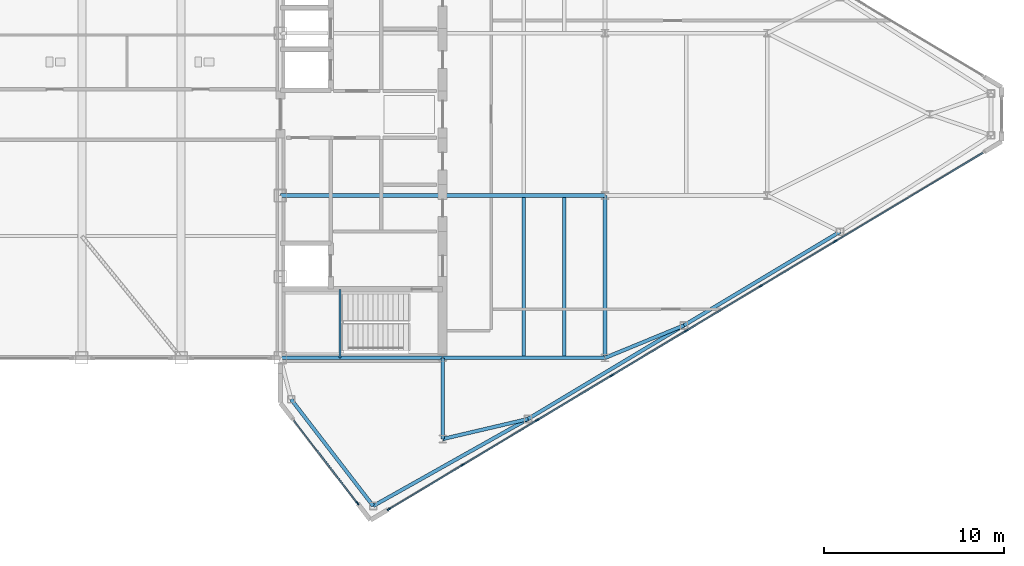
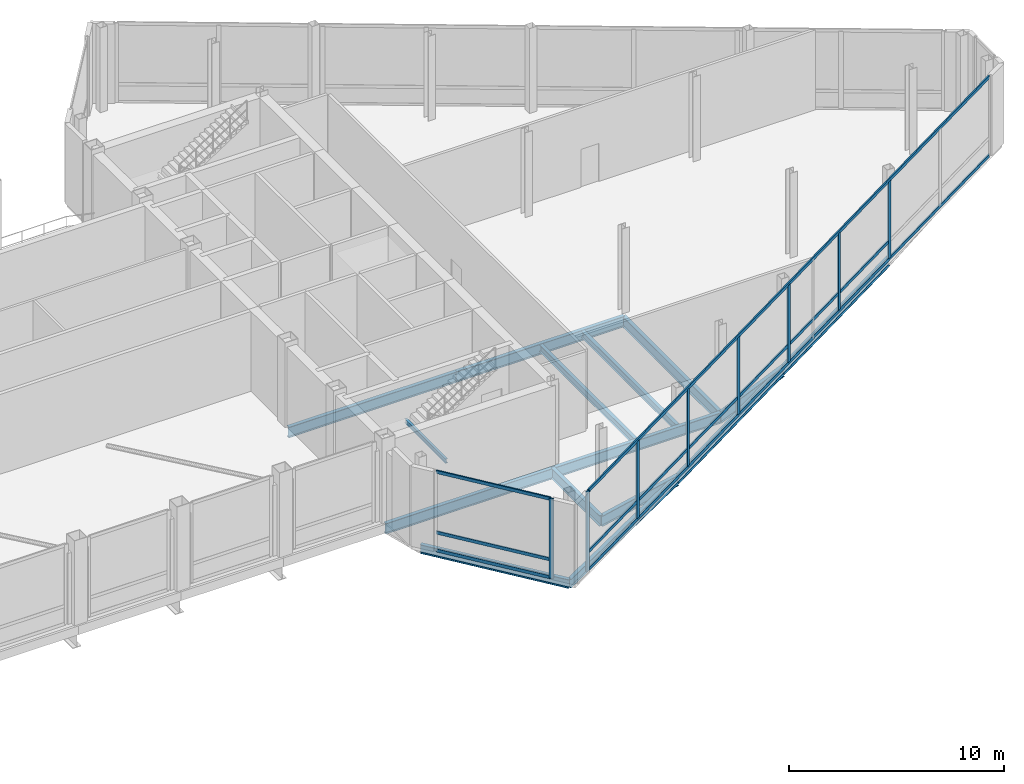
# One storey, part 14 of 28: 19 members, 15 beams, 2 elements without a shape of their own.
"""IFC4 building model written with IfcOpenShell, lengths in metres."""

from ifc_helpers import new_model, si_unit, direction, frame, origin, origin_2d, place, context, subcontext, project, spatial, rectangle, i_section, extrude, source, transform, mapped, material, layer, layer_set, material_profile, profile_set, type_object, type_shapes, element, aggregate, save


model = new_model("IFC4")

# Units and contexts
model_context = context("Model", 3, precision=1e-05, world=origin(), true_north=direction((0.0, 1.0)))
body_context = subcontext(model_context, "Body", "Model", "MODEL_VIEW")
ifc_project = project(units=[si_unit("LENGTHUNIT", "METRE"), si_unit("AREAUNIT", "SQUARE_METRE"), si_unit("VOLUMEUNIT", "CUBIC_METRE"), si_unit("PLANEANGLEUNIT", "RADIAN"), si_unit("MASSUNIT", "GRAM", prefix="KILO")], contexts=[model_context])

# Site, building, storey
site_placement = place(None, origin())
site = spatial("IfcSite", under=ifc_project, at=site_placement, CompositionType="ELEMENT")
building_placement = place(site_placement, origin())
building = spatial("IfcBuilding", under=site, at=building_placement, Name="Seokmaru Belvedere", CompositionType="ELEMENT")
storey_placement = place(building_placement, frame((0.0, 0.0, 274.199951171875)))
storey = spatial("IfcBuildingStorey", under=building, at=storey_placement, Name="L72", CompositionType="ELEMENT", Elevation=274.199951171875)

# Beams
ifc_material_1 = material(Name="Steel SM355 (355 MPa)", Category="steel")
ifc_material_profile_1 = material_profile(ifc_material_1, i_section(OverallWidth=0.199951171875, OverallDepth=0.60009765625, WebThickness=0.010986328125, FlangeThickness=0.01708984375, at=origin_2d()), Name="H-600x200x11x17")
ifc_profile_set_1 = profile_set([ifc_material_profile_1], Name="Steel SM355 (355 MPa)")
beam_type_1 = type_object("IfcBeamType", Name="Primary Floor Girder H-600", PredefinedType="BEAM", material=ifc_profile_set_1)
shared_shape_1 = source(origin(), body_context, "Body", "SweptSolid", [
    extrude(i_section(OverallWidth=0.199951171875, OverallDepth=0.60009765625, WebThickness=0.010986328125, FlangeThickness=0.01708984375, at=origin_2d()), origin(), (0.0, 0.0, 1.0), 9.0),
])
for number, where, z_axis, x_axis, name in (
    (1, (45.5, -13.5, -0.56005859375), (0.0, 1.0, 0.0), (-1.0, 0.0, 0.0), "L72 E Interior Grid Girder 1"),
    (2, (27.5, -13.5, -0.56005859375), (1.0, 0.0, 0.0), (0.0, 1.0, 0.0), "L72 E Core Tie Girder 1"),
    (3, (36.5, -13.5, -0.56005859375), (1.0, 0.0, 0.0), (0.0, 1.0, 0.0), "L72 E Wing Primary Girder 1"),
    (4, (27.5, -4.5, -0.56005859375), (1.0, 0.0, 0.0), (0.0, 1.0, 0.0), "L72 E Core Tie Girder 2"),
    (5, (36.5, -4.5, -0.56005859375), (1.0, 0.0, 0.0), (0.0, 1.0, 0.0), "L72 E Wing Primary Girder 2"),
):
    element("IfcBeam", number, at=place(storey_placement, frame(where, z_axis=z_axis, x_axis=x_axis)), inside=storey, type_object=beam_type_1, Name=name, PredefinedType="BEAM", context=body_context, shape_type="MappedRepresentation", body=[
        mapped(shared_shape_1, transform((0.0, 0.0, 0.0), scale=1.0)),
    ])
ifc_material_profile_2 = material_profile(ifc_material_1, i_section(OverallWidth=0.18505859375, OverallDepth=0.389892578125, WebThickness=0.008056640625, FlangeThickness=0.011962890625, at=origin_2d()), Name="H-390x185x8x12")
ifc_profile_set_2 = profile_set([ifc_material_profile_2], Name="Steel SM355 (355 MPa)")
beam_type_2 = type_object("IfcBeamType", Name="Secondary Floor Joist H-350", PredefinedType="JOIST", material=ifc_profile_set_2)
shared_shape_2 = source(origin(), body_context, "Body", "SweptSolid", [
    extrude(i_section(OverallWidth=0.18505859375, OverallDepth=0.389892578125, WebThickness=0.008056640625, FlangeThickness=0.011962890625, at=origin_2d()), origin(), (0.0, 0.0, 1.0), 8.7900390625),
])
type_shapes(beam_type_2, [shared_shape_2])
for number, where, z_axis, x_axis, name in (
    (6, (43.25, -13.39501953125, -0.454833984375), (0.0, 1.0, 0.0), (-1.0, 0.0, 0.0), "L72 E Wing Inner Secondary Joist 1"),
    (7, (41.0, -13.39501953125, -0.454833984375), (0.0, 1.0, 0.0), (-1.0, 0.0, 0.0), "L72 E Secondary Floor Joist 1"),
):
    element("IfcBeam", number, at=place(storey_placement, frame(where, z_axis=z_axis, x_axis=x_axis)), inside=storey, type_object=beam_type_2, Name=name, PredefinedType="JOIST", context=body_context, shape_type="MappedRepresentation", body=[
        mapped(shared_shape_2, transform((0.0, 0.0, 0.0), scale=1.0)),
    ])
shared_shape_3 = source(origin(), body_context, "Body", "SweptSolid", [
    extrude(i_section(OverallWidth=0.199951171875, OverallDepth=0.60009765625, WebThickness=0.010986328125, FlangeThickness=0.01708984375, at=origin_2d()), origin(), (0.0, 0.0, 1.0), 4.5),
])
beam_1_placement = place(storey_placement, frame((36.5, -18.0, -0.56005859375), z_axis=(0.0, 1.0, 0.0), x_axis=(-1.0, 0.0, 0.0)))
element("IfcBeam", 8, at=beam_1_placement, inside=storey, type_object=beam_type_1, Name="L72 E Core Shoulder Girder S", PredefinedType="BEAM", context=body_context, shape_type="MappedRepresentation", body=[
    mapped(shared_shape_3, transform((0.0, 0.0, 0.0), scale=1.0)),
])
ifc_material_profile_3 = material_profile(ifc_material_1, i_section(OverallWidth=0.199951171875, OverallDepth=0.5, WebThickness=0.010009765625, FlangeThickness=0.01611328125, at=origin_2d()), Name="H-500x200x10x16")
ifc_profile_set_3 = profile_set([ifc_material_profile_3], Name="Steel SM355 (355 MPa)")
beam_type_3 = type_object("IfcBeamType", Name="Perimeter Spandrel Beam H-500", PredefinedType="SPANDREL", material=ifc_profile_set_3)
shared_shape_4 = source(origin(), body_context, "Body", "SweptSolid", [
    extrude(i_section(OverallWidth=0.199951171875, OverallDepth=0.5, WebThickness=0.010009765625, FlangeThickness=0.01611328125, at=origin_2d()), origin(), (0.0, 0.0, 1.0), 9.842041015625),
])
beam_2_placement = place(storey_placement, frame((32.649658203125, -21.71044921875, -0.510009765625), z_axis=(0.871782151818, 0.489893743349, 0.0), x_axis=(-0.489893743349, 0.871782151818, 0.0)))
element("IfcBeam", 9, at=beam_2_placement, inside=storey, type_object=beam_type_3, Name="L72 E Faceted Flank Spandrel S-1", PredefinedType="SPANDREL", context=body_context, shape_type="MappedRepresentation", body=[
    mapped(shared_shape_4, transform((0.0, 0.0, 0.0), scale=1.0)),
])
shared_shape_5 = source(origin(), body_context, "Body", "SweptSolid", [
    extrude(i_section(OverallWidth=0.199951171875, OverallDepth=0.5, WebThickness=0.010009765625, FlangeThickness=0.01611328125, at=origin_2d()), origin(), (0.0, 0.0, 1.0), 10.087646484375),
])
for number, where, z_axis, x_axis, name in (
    (10, (41.229736328125, -16.888916015625, -0.510009765625), (0.857499332045, 0.514485078056, 0.0), (-0.514485078056, 0.857499332045, 0.0), "L72 E Faceted Flank Spandrel S-2"),
    (11, (49.8798828125, -11.698974609375, -0.510009765625), (0.857488654804, 0.514502873542, 0.0), (-0.514502873542, 0.857488654804, 0.0), "L72 E Faceted Flank Spandrel S-3"),
):
    element("IfcBeam", number, at=place(storey_placement, frame(where, z_axis=z_axis, x_axis=x_axis)), inside=storey, type_object=beam_type_3, Name=name, PredefinedType="SPANDREL", context=body_context, shape_type="MappedRepresentation", body=[
        mapped(shared_shape_5, transform((0.0, 0.0, 0.0), scale=1.0)),
    ])
shared_shape_6 = source(origin(), body_context, "Body", "SweptSolid", [
    extrude(i_section(OverallWidth=0.199951171875, OverallDepth=0.5, WebThickness=0.010009765625, FlangeThickness=0.01611328125, at=origin_2d()), origin(), (0.0, 0.0, 1.0), 7.4619140625),
])
type_shapes(beam_type_3, [shared_shape_4, shared_shape_5, shared_shape_6])
beam_3_placement = place(storey_placement, frame((32.649658203125, -21.71044921875, -0.510009765625), z_axis=(-0.609702854945, 0.792630070507, 0.0), x_axis=(-0.792630070507, -0.609702854945, 0.0)))
element("IfcBeam", 12, at=beam_3_placement, inside=storey, type_object=beam_type_3, Name="L72 E Shoulder Chamfer Spandrel S", PredefinedType="SPANDREL", context=body_context, shape_type="MappedRepresentation", body=[
    mapped(shared_shape_6, transform((0.0, 0.0, 0.0), scale=1.0)),
])
shared_shape_7 = source(origin(), body_context, "Body", "SweptSolid", [
    extrude(i_section(OverallWidth=0.199951171875, OverallDepth=0.60009765625, WebThickness=0.010986328125, FlangeThickness=0.01708984375, at=origin_2d()), origin(), (0.0, 0.0, 1.0), 4.8583984375),
])
beam_4_placement = place(storey_placement, frame((41.229736328125, -16.888916015625, -0.56005859375), z_axis=(-0.97349948295, -0.228689214211, 0.0), x_axis=(0.228689214211, -0.97349948295, 0.0)))
element("IfcBeam", 13, at=beam_4_placement, inside=storey, type_object=beam_type_1, Name="L72 E Flank Radial Floor Girder S-1", PredefinedType="BEAM", context=body_context, shape_type="MappedRepresentation", body=[
    mapped(shared_shape_7, transform((0.0, 0.0, 0.0), scale=1.0)),
])
shared_shape_8 = source(origin(), body_context, "Body", "SweptSolid", [
    extrude(i_section(OverallWidth=0.199951171875, OverallDepth=0.60009765625, WebThickness=0.010986328125, FlangeThickness=0.01708984375, at=origin_2d()), origin(), (0.0, 0.0, 1.0), 4.73583984375),
])
type_shapes(beam_type_1, [shared_shape_1, shared_shape_3, shared_shape_7, shared_shape_8])
beam_5_placement = place(storey_placement, frame((49.8798828125, -11.698974609375, -0.56005859375), z_axis=(-0.924860562953, -0.380306375301, 0.0), x_axis=(0.380306375301, -0.924860562953, 0.0)))
element("IfcBeam", 14, at=beam_5_placement, inside=storey, type_object=beam_type_1, Name="L72 E Flank Radial Floor Girder S-2", PredefinedType="BEAM", context=body_context, shape_type="MappedRepresentation", body=[
    mapped(shared_shape_8, transform((0.0, 0.0, 0.0), scale=1.0)),
])

# Curtain wall, members
ifc_material_2 = material(Name="Bronze Triple Insulating Glass", Category="glass")
ifc_layer = layer(ifc_material_2, 0.219970703125)
ifc_layer_set = layer_set([ifc_layer], Name="Bronze Triple Insulating Glass")
curtain_wall_type = type_object("IfcCurtainWallType", Name="Sky-Gate Bridge Panorama Curtain Wall System CW-6", PredefinedType="NOTDEFINED", material=ifc_layer_set)
curtain_wall_1_placement = place(storey_placement, origin())
curtain_wall_1 = element("IfcCurtainWall", 15, at=curtain_wall_1_placement, inside=storey, type_object=curtain_wall_type, Name="L72 Curtain Wall EF6", PredefinedType="NOTDEFINED")
ifc_material_3 = material(Name="Anodised Bronze Aluminium", Category="aluminium")
ifc_material_profile_4 = material_profile(ifc_material_3, rectangle(XDim=0.074951171875, YDim=0.179931640625, at=origin_2d()), Name="CW-T-75x180")
ifc_profile_set_4 = profile_set([ifc_material_profile_4], Name="Anodised Bronze Aluminium")
member_type_1 = type_object("IfcMemberType", Name="Bronze Unitised Transom 75x180", PredefinedType="USERDEFINED", material=ifc_profile_set_4)
shared_shape_9 = source(origin(), body_context, "Body", "SweptSolid", [
    extrude(rectangle(XDim=0.074951171875, YDim=0.179931640625, at=origin_2d()), origin(), (0.0, 0.0, 1.0), 5.74072265625),
])
member_1_placement = place(storey_placement, frame((28.25, -16.974853515625, 0.03759765625), z_axis=(0.609686097287, -0.792642960465, 0.0), x_axis=(0.792642960465, 0.609686097287, 0.0)))
member_1 = element("IfcMember", 16, at=member_1_placement, type_object=member_type_1, Name="CW:L72:EF6 Continuous Transom 1", ObjectType="TRANSOM", PredefinedType="USERDEFINED", context=body_context, shape_type="MappedRepresentation", body=[
    mapped(shared_shape_9, transform((0.0, 0.0, 0.0), scale=1.0)),
])
member_2_placement = place(storey_placement, frame((28.25, -16.974853515625, 4.482666015625), z_axis=(0.609686097287, -0.792642960465, 0.0), x_axis=(0.792642960465, 0.609686097287, 0.0)))
member_2 = element("IfcMember", 17, at=member_2_placement, type_object=member_type_1, Name="CW:L72:EF6 Continuous Transom 2", ObjectType="TRANSOM", PredefinedType="USERDEFINED", context=body_context, shape_type="MappedRepresentation", body=[
    mapped(shared_shape_9, transform((0.0, 0.0, 0.0), scale=1.0)),
])
member_3_placement = place(storey_placement, frame((28.25, -16.974853515625, 1.050048828125), z_axis=(0.609686097287, -0.792642960465, 0.0), x_axis=(0.792642960465, 0.609686097287, 0.0)))
member_3 = element("IfcMember", 18, at=member_3_placement, type_object=member_type_1, Name="CW:L72:EF6 Spandrel Transom 1", ObjectType="TRANSOM", PredefinedType="USERDEFINED", context=body_context, shape_type="MappedRepresentation", body=[
    mapped(shared_shape_9, transform((0.0, 0.0, 0.0), scale=1.0)),
])

curtain_wall_2_placement = place(storey_placement, origin())
curtain_wall_2 = element("IfcCurtainWall", 19, at=curtain_wall_2_placement, inside=storey, type_object=curtain_wall_type, Name="L72 Curtain Wall EF1", PredefinedType="NOTDEFINED")
shared_shape_10 = source(origin(), body_context, "Body", "SweptSolid", [
    extrude(rectangle(XDim=0.074951171875, YDim=0.179931640625, at=origin_2d()), origin(), (0.0, 0.0, 1.0), 38.356689453125),
])
member_4_placement = place(storey_placement, frame((33.5546875, -21.8671875, 0.03759765625), z_axis=(0.857492925713, 0.514495755428, 0.0), x_axis=(-0.514495755428, 0.857492925713, 0.0)))
member_4 = element("IfcMember", 20, at=member_4_placement, type_object=member_type_1, Name="CW:L72:EF1 Continuous Transom 1", ObjectType="TRANSOM", PredefinedType="USERDEFINED", context=body_context, shape_type="MappedRepresentation", body=[
    mapped(shared_shape_10, transform((0.0, 0.0, 0.0), scale=1.0)),
])
member_5_placement = place(storey_placement, frame((33.5546875, -21.8671875, 4.482666015625), z_axis=(0.857492925713, 0.514495755428, 0.0), x_axis=(-0.514495755428, 0.857492925713, 0.0)))
member_5 = element("IfcMember", 21, at=member_5_placement, type_object=member_type_1, Name="CW:L72:EF1 Continuous Transom 2", ObjectType="TRANSOM", PredefinedType="USERDEFINED", context=body_context, shape_type="MappedRepresentation", body=[
    mapped(shared_shape_10, transform((0.0, 0.0, 0.0), scale=1.0)),
])
shared_shape_11 = source(origin(), body_context, "Body", "SweptSolid", [
    extrude(rectangle(XDim=0.074951171875, YDim=0.179931640625, at=origin_2d()), origin(), (0.0, 0.0, 1.0), 4.694580078125),
])
member_6_placement = place(storey_placement, frame((33.5546875, -21.8671875, 1.050048828125), z_axis=(0.85750210284, 0.514480459906, 0.0), x_axis=(-0.514480459906, 0.85750210284, 0.0)))
member_6 = element("IfcMember", 22, at=member_6_placement, type_object=member_type_1, Name="CW:L72:EF1 Spandrel Transom 1", ObjectType="TRANSOM", PredefinedType="USERDEFINED", context=body_context, shape_type="MappedRepresentation", body=[
    mapped(shared_shape_11, transform((0.0, 0.0, 0.0), scale=1.0)),
])
shared_shape_12 = source(origin(), body_context, "Body", "SweptSolid", [
    extrude(rectangle(XDim=0.074951171875, YDim=0.179931640625, at=origin_2d()), origin(), (0.0, 0.0, 1.0), 4.734619140625),
])
member_7_placement = place(storey_placement, frame((37.64892578125, -19.41064453125, 1.050048828125), z_axis=(0.857479275774, 0.514518504641, 0.0), x_axis=(-0.514518504641, 0.857479275774, 0.0)))
member_7 = element("IfcMember", 23, at=member_7_placement, type_object=member_type_1, Name="CW:L72:EF1 Spandrel Transom 2", ObjectType="TRANSOM", PredefinedType="USERDEFINED", context=body_context, shape_type="MappedRepresentation", body=[
    mapped(shared_shape_12, transform((0.0, 0.0, 0.0), scale=1.0)),
])
shared_shape_13 = source(origin(), body_context, "Body", "SweptSolid", [
    extrude(rectangle(XDim=0.074951171875, YDim=0.179931640625, at=origin_2d()), origin(), (0.0, 0.0, 1.0), 4.734375),
])
member_8_placement = place(storey_placement, frame((41.77734375, -16.93359375, 1.050048828125), z_axis=(0.857502025578, 0.514480588682, 0.0), x_axis=(-0.514480588682, 0.857502025578, 0.0)))
member_8 = element("IfcMember", 24, at=member_8_placement, type_object=member_type_1, Name="CW:L72:EF1 Spandrel Transom 3", ObjectType="TRANSOM", PredefinedType="USERDEFINED", context=body_context, shape_type="MappedRepresentation", body=[
    mapped(shared_shape_13, transform((0.0, 0.0, 0.0), scale=1.0)),
])
member_9_placement = place(storey_placement, frame((54.162841796875, -9.502197265625, 1.050048828125), z_axis=(0.857502025578, 0.514480588682, 0.0), x_axis=(-0.514480588682, 0.857502025578, 0.0)))
member_9 = element("IfcMember", 25, at=member_9_placement, type_object=member_type_1, Name="CW:L72:EF1 Spandrel Transom 6", ObjectType="TRANSOM", PredefinedType="USERDEFINED", context=body_context, shape_type="MappedRepresentation", body=[
    mapped(shared_shape_13, transform((0.0, 0.0, 0.0), scale=1.0)),
])
shared_shape_14 = source(origin(), body_context, "Body", "SweptSolid", [
    extrude(rectangle(XDim=0.074951171875, YDim=0.179931640625, at=origin_2d()), origin(), (0.0, 0.0, 1.0), 4.73486328125),
])
type_shapes(member_type_1, [shared_shape_9, shared_shape_10, shared_shape_11, shared_shape_12, shared_shape_13, shared_shape_14])
member_10_placement = place(storey_placement, frame((45.90576171875, -14.45654296875, 1.050048828125), z_axis=(0.857492925713, 0.514495755428, 0.0), x_axis=(-0.514495755428, 0.857492925713, 0.0)))
member_10 = element("IfcMember", 26, at=member_10_placement, type_object=member_type_1, Name="CW:L72:EF1 Spandrel Transom 4", ObjectType="TRANSOM", PredefinedType="USERDEFINED", context=body_context, shape_type="MappedRepresentation", body=[
    mapped(shared_shape_14, transform((0.0, 0.0, 0.0), scale=1.0)),
])
member_11_placement = place(storey_placement, frame((50.0341796875, -11.9794921875, 1.050048828125), z_axis=(0.857492925713, 0.514495755428, 0.0), x_axis=(-0.514495755428, 0.857492925713, 0.0)))
member_11 = element("IfcMember", 27, at=member_11_placement, type_object=member_type_1, Name="CW:L72:EF1 Spandrel Transom 5", ObjectType="TRANSOM", PredefinedType="USERDEFINED", context=body_context, shape_type="MappedRepresentation", body=[
    mapped(shared_shape_14, transform((0.0, 0.0, 0.0), scale=1.0)),
])
ifc_material_profile_5 = material_profile(ifc_material_3, rectangle(XDim=0.080078125, YDim=0.219970703125, at=origin_2d()), Name="CW-M-80x220")
ifc_profile_set_5 = profile_set([ifc_material_profile_5], Name="Anodised Bronze Aluminium")
member_type_2 = type_object("IfcMemberType", Name="Bronze Unitised Mullion 80x220", PredefinedType="MULLION", material=ifc_profile_set_5)
shared_shape_15 = source(origin(), body_context, "Body", "SweptSolid", [
    extrude(rectangle(XDim=0.080078125, YDim=0.219970703125, at=origin_2d()), origin(), (0.0, 0.0, 1.0), 4.52001953125),
])
member_12_placement = place(storey_placement, frame((33.5205078125, -21.8876953125, 0.0), z_axis=(0.0, 0.0, 1.0), x_axis=(-0.514494909364, 0.85749343335, 0.0)))
member_12 = element("IfcMember", 28, at=member_12_placement, type_object=member_type_2, Name="CW:L72:EF1 Mullion 1", PredefinedType="MULLION", context=body_context, shape_type="MappedRepresentation", body=[
    mapped(shared_shape_15, transform((0.0, 0.0, 0.0), scale=1.0)),
])

# Member
member_13_placement = place(storey_placement, frame((31.7744140625, -21.556884765625, 0.0), z_axis=(0.0, 0.0, 1.0), x_axis=(0.792631353244, 0.609701187349, 0.0)))
member_13 = element("IfcMember", 29, at=member_13_placement, type_object=member_type_2, Name="CW:L72:EF6 Mullion 2", PredefinedType="MULLION", context=body_context, shape_type="MappedRepresentation", body=[
    mapped(shared_shape_15, transform((0.0, 0.0, 0.0), scale=1.0)),
])

aggregate(curtain_wall_1, [member_13, member_1, member_2, member_3])

shared_shape_16 = source(origin(), body_context, "Body", "SweptSolid", [
    extrude(rectangle(XDim=0.080078125, YDim=0.219970703125, at=origin_2d()), origin(), (0.0, 0.0, 1.0), 4.3701171875),
])
type_shapes(member_type_2, [shared_shape_15, shared_shape_16])
member_14_placement = place(storey_placement, frame((37.614501953125, -19.43115234375, 0.074951171875), z_axis=(0.0, 0.0, 1.0), x_axis=(-0.514494909364, 0.85749343335, 0.0)))
member_14 = element("IfcMember", 30, at=member_14_placement, type_object=member_type_2, Name="CW:L72:EF1 Mullion 2", PredefinedType="MULLION", context=body_context, shape_type="MappedRepresentation", body=[
    mapped(shared_shape_16, transform((0.0, 0.0, 0.0), scale=1.0)),
])

member_15_placement = place(storey_placement, frame((41.7431640625, -16.9541015625, 0.074951171875), z_axis=(0.0, 0.0, 1.0), x_axis=(-0.514494909364, 0.85749343335, 0.0)))
member_15 = element("IfcMember", 31, at=member_15_placement, type_object=member_type_2, Name="CW:L72:EF1 Mullion 3", PredefinedType="MULLION", context=body_context, shape_type="MappedRepresentation", body=[
    mapped(shared_shape_16, transform((0.0, 0.0, 0.0), scale=1.0)),
])

member_16_placement = place(storey_placement, frame((45.87158203125, -14.47705078125, 0.074951171875), z_axis=(0.0, 0.0, 1.0), x_axis=(-0.514494909364, 0.85749343335, 0.0)))
member_16 = element("IfcMember", 32, at=member_16_placement, type_object=member_type_2, Name="CW:L72:EF1 Mullion 4", PredefinedType="MULLION", context=body_context, shape_type="MappedRepresentation", body=[
    mapped(shared_shape_16, transform((0.0, 0.0, 0.0), scale=1.0)),
])

member_17_placement = place(storey_placement, frame((50.0, -12.0, 0.074951171875), z_axis=(0.0, 0.0, 1.0), x_axis=(-0.514494909364, 0.85749343335, 0.0)))
member_17 = element("IfcMember", 33, at=member_17_placement, type_object=member_type_2, Name="CW:L72:EF1 Mullion 5", PredefinedType="MULLION", context=body_context, shape_type="MappedRepresentation", body=[
    mapped(shared_shape_16, transform((0.0, 0.0, 0.0), scale=1.0)),
])

member_18_placement = place(storey_placement, frame((54.12841796875, -9.52294921875, 0.074951171875), z_axis=(0.0, 0.0, 1.0), x_axis=(-0.514494909364, 0.85749343335, 0.0)))
member_18 = element("IfcMember", 34, at=member_18_placement, type_object=member_type_2, Name="CW:L72:EF1 Mullion 6", PredefinedType="MULLION", context=body_context, shape_type="MappedRepresentation", body=[
    mapped(shared_shape_16, transform((0.0, 0.0, 0.0), scale=1.0)),
])

member_19_placement = place(storey_placement, frame((58.257080078125, -7.0458984375, 0.074951171875), z_axis=(0.0, 0.0, 1.0), x_axis=(-0.514494909364, 0.85749343335, 0.0)))
member_19 = element("IfcMember", 35, at=member_19_placement, type_object=member_type_2, Name="CW:L72:EF1 Mullion 7", PredefinedType="MULLION", context=body_context, shape_type="MappedRepresentation", body=[
    mapped(shared_shape_16, transform((0.0, 0.0, 0.0), scale=1.0)),
])

aggregate(curtain_wall_2, [member_12, member_14, member_15, member_16, member_17, member_18, member_19, member_4, member_5, member_6, member_7, member_8, member_10, member_11, member_9])

# Beam
ifc_material_profile_6 = material_profile(ifc_material_1, i_section(OverallWidth=0.125, OverallDepth=0.25, WebThickness=0.006103515625, FlangeThickness=0.009033203125, at=origin_2d()), Name="H-250x125x6x9")
ifc_profile_set_6 = profile_set([ifc_material_profile_6], Name="Steel SM355 (355 MPa)")
beam_type_4 = type_object("IfcBeamType", Name="Stair Mid-Landing Support Beam H-250", PredefinedType="JOIST", material=ifc_profile_set_6)
shared_shape_17 = source(origin(), body_context, "Body", "SweptSolid", [
    extrude(i_section(OverallWidth=0.125, OverallDepth=0.25, WebThickness=0.006103515625, FlangeThickness=0.009033203125, at=origin_2d()), origin(), (0.0, 0.0, 1.0), 3.800048828125),
])
type_shapes(beam_type_4, [shared_shape_17])
beam_6_placement = place(storey_placement, frame((30.81005859375, -13.5, 2.074951171875), z_axis=(0.0, 1.0, 0.0), x_axis=(-1.0, 0.0, 0.0)))
element("IfcBeam", 36, at=beam_6_placement, inside=storey, type_object=beam_type_4, Name="L72 Stair ST-E1 Mid-Landing Support Beam 1", PredefinedType="JOIST", context=body_context, shape_type="MappedRepresentation", body=[
    mapped(shared_shape_17, transform((0.0, 0.0, 0.0), scale=1.0)),
])

save(model, "model.ifc")
